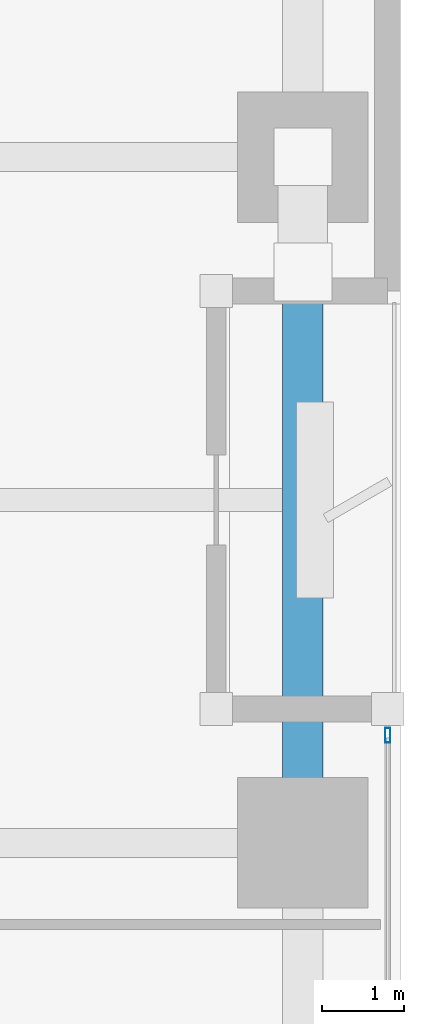
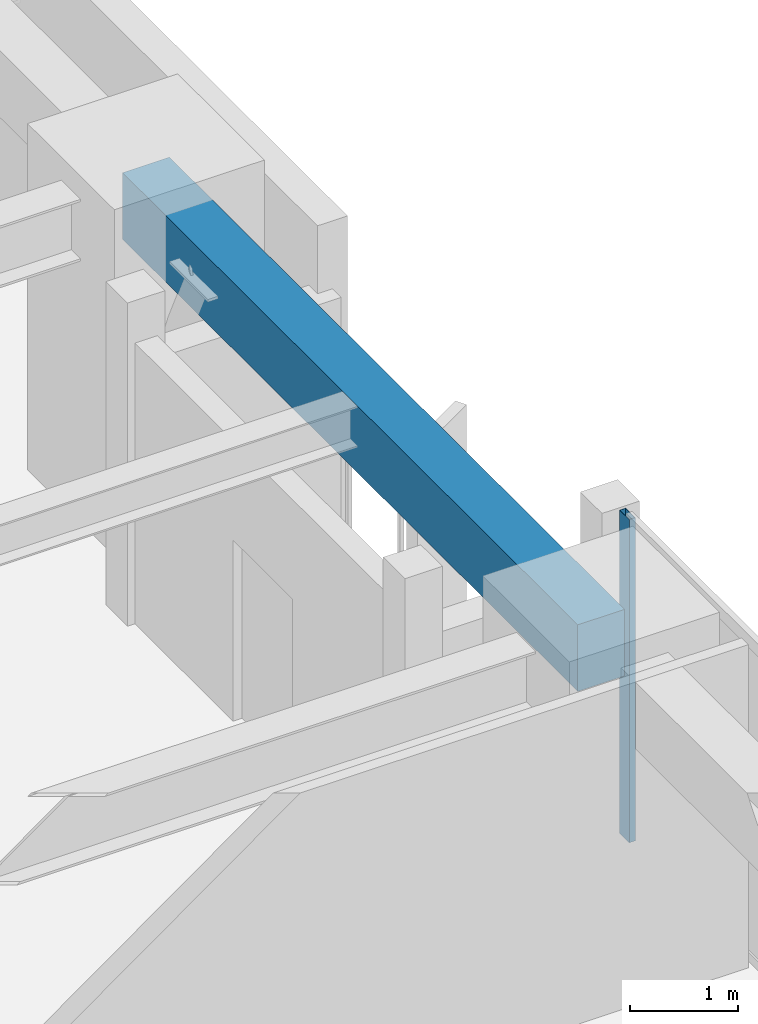
# One storey, part 10 of 29: 1 beam, 1 member, 1 element without a shape of its own.
"""IFC4 building model written with IfcOpenShell, lengths in metres."""

from ifc_helpers import new_model, si_unit, direction, frame, origin, origin_2d, place, context, subcontext, project, spatial, rectangle, hollow_rectangle, extrude, material, layer, layer_set, material_profile, profile_set, type_object, element, aggregate, save


model = new_model("IFC4")

# Units and contexts
model_context = context("Model", 3, precision=1e-05, world=origin(), true_north=direction((0.0, 1.0)))
body_context = subcontext(model_context, "Body", "Model", "MODEL_VIEW")
ifc_project = project(units=[si_unit("LENGTHUNIT", "METRE"), si_unit("AREAUNIT", "SQUARE_METRE"), si_unit("VOLUMEUNIT", "CUBIC_METRE"), si_unit("PLANEANGLEUNIT", "RADIAN"), si_unit("MASSUNIT", "GRAM", prefix="KILO")], contexts=[model_context])

# Site, building, storey
site_placement = place(None, origin())
site = spatial("IfcSite", under=ifc_project, at=site_placement, CompositionType="ELEMENT")
building_placement = place(site_placement, origin())
building = spatial("IfcBuilding", under=site, at=building_placement, Name="Kiyonajd Concourse Tower", CompositionType="ELEMENT")
storey_placement = place(building_placement, frame((0.0, 0.0, 45.0)))
storey = spatial("IfcBuildingStorey", under=building, at=storey_placement, Name="L12", CompositionType="ELEMENT", Elevation=45.0)

# Beam
ifc_material_1 = material(Name="Precast concrete C50/60", Category="concrete")
ifc_material_profile_1 = material_profile(ifc_material_1, rectangle(XDim=0.5, YDim=0.75, at=origin_2d()), Name="RCBM-500x750")
ifc_profile_set_1 = profile_set([ifc_material_profile_1], Name="Precast concrete C50/60")
beam_type = type_object("IfcBeamType", Name="BM-SPAN-RC", PredefinedType="SPANDREL", material=ifc_profile_set_1)
beam_placement = place(storey_placement, frame((78.0, 36.0, 3.264892578125), z_axis=(0.0, 1.0, 0.0), x_axis=(-1.0, 0.0, 0.0)))
element("IfcBeam", 1, at=beam_placement, inside=storey, type_object=beam_type, Name="L12 Perimeter Bundled Tube Spandrel", PredefinedType="SPANDREL", context=body_context, shape_type="SweptSolid", body=[
    extrude(rectangle(XDim=0.5, YDim=0.75, at=origin_2d()), origin(), (0.0, 0.0, 1.0), 8.39990234375),
])

# Curtain wall, member
ifc_material_2 = material(Name="Thermally Broken Anodised Aluminium", Category="aluminium")
ifc_layer = layer(ifc_material_2, 0.179931640625)
ifc_layer_set = layer_set([ifc_layer], Name="Thermally Broken Anodised Aluminium")
curtain_wall_type = type_object("IfcCurtainWallType", Name="CW-SYS-02", PredefinedType="NOTDEFINED", material=ifc_layer_set)
curtain_wall_placement = place(storey_placement, origin())
curtain_wall = element("IfcCurtainWall", 2, at=curtain_wall_placement, inside=storey, type_object=curtain_wall_type, Name="L12 Unitised Curtain Wall CW2", PredefinedType="NOTDEFINED")
ifc_material_profile_2 = material_profile(ifc_material_2, hollow_rectangle(XDim=0.06494140625, YDim=0.179931640625, WallThickness=0.00390625, at=origin_2d()), Name="MULL-65x180")
ifc_profile_set_2 = profile_set([ifc_material_profile_2], Name="Thermally Broken Anodised Aluminium")
member_type = type_object("IfcMemberType", Name="MB-CW-MULL1", PredefinedType="MULLION", material=ifc_profile_set_2)
member_placement = place(storey_placement, frame((79.0400390625, 37.3173828125, 0.0), z_axis=(0.0, 0.0, 1.0), x_axis=(1.0, 0.0, 0.0)))
member = element("IfcMember", 3, at=member_placement, type_object=member_type, Name="CW2 mullion 1", PredefinedType="MULLION", context=body_context, shape_type="SweptSolid", body=[
    extrude(hollow_rectangle(XDim=0.06494140625, YDim=0.179931640625, WallThickness=0.00390625, at=origin_2d()), origin(), (0.0, 0.0, 1.0), 3.639892578125),
])
aggregate(curtain_wall, [member])

save(model, "model.ifc")
